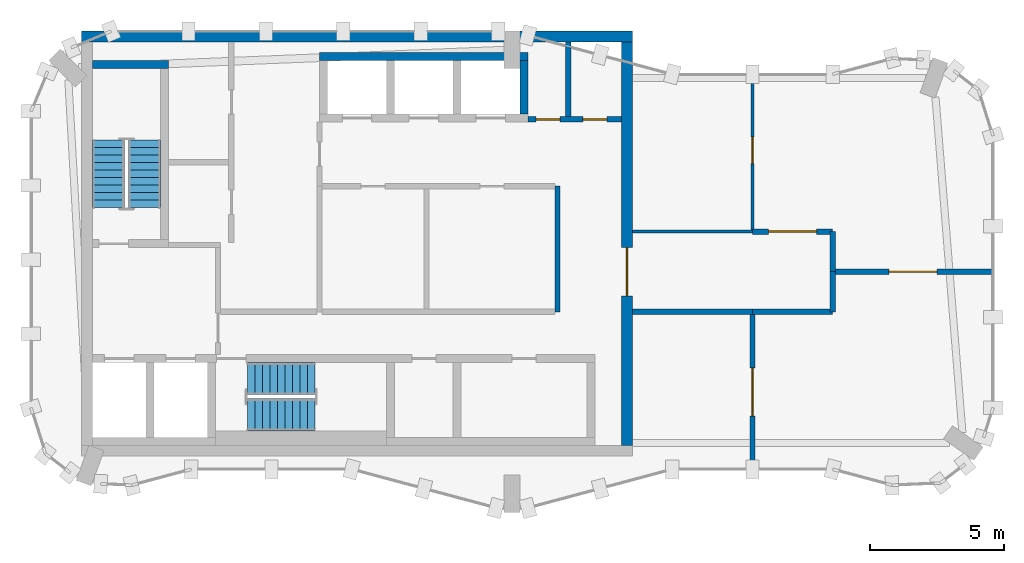
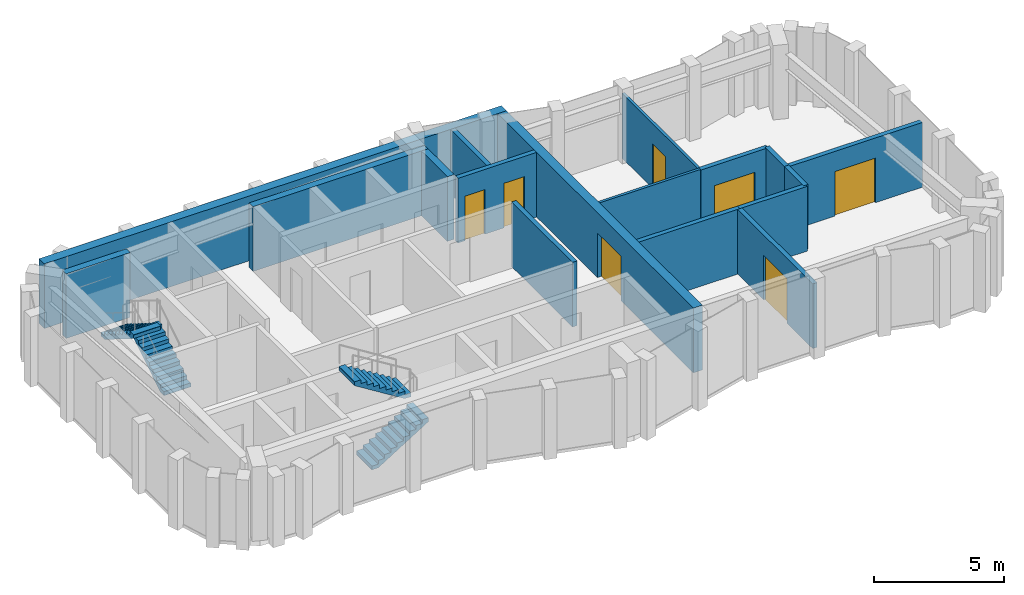
# One storey, part 4 of 5: 17 walls, 7 doors, 4 stair flights, 7 openings, 2 elements without a shape of their own.
"""IFC4 building model written with IfcOpenShell, lengths in metres."""

import ifcopenshell
import ifcopenshell.guid

model = None  # the IFC model being written
_history = None  # IfcOwnerHistory: only IFC2X3 demands one
_inside = {}  # id of a spatial element -> (the spatial element, [elements in it])
_under = {}  # id of a project, library or spatial element -> (it, [spatial elements below it])
_declared = {}  # id of a project -> (the project, [libraries it declares])
_typed = {}  # id of a type object -> (the type object, [elements of that type])
_made_of = {}  # id of a material, layer set ... -> (it, [elements and type objects made of it])


def new_model(schema):
    """Start an empty IFC model of exactly this schema.

    Asked for "IFC4X3", IfcOpenShell would pick the latest addendum, in which some entities
    have other attributes; the version numbers below select the first issue.
    IFC2X3 requires an IfcOwnerHistory on every rooted entity: one is made here for all.
    """
    global model, _history
    if schema == "IFC4X3":
        model = ifcopenshell.file(schema_version=(4, 3, 0, 0))
    else:
        model = ifcopenshell.file(schema=schema)
    _inside.clear()
    _under.clear()
    _declared.clear()
    _typed.clear()
    _made_of.clear()
    _history = None
    if model.schema == "IFC2X3":
        org = make("IfcOrganization", Name="unknown")
        user = make(
            "IfcPersonAndOrganization",
            ThePerson=make("IfcPerson", FamilyName="unknown"),
            TheOrganization=org,
        )
        app = make(
            "IfcApplication",
            ApplicationDeveloper=org,
            Version="unknown",
            ApplicationFullName="unknown",
            ApplicationIdentifier="unknown",
        )
        _history = make(
            "IfcOwnerHistory",
            OwningUser=user,
            OwningApplication=app,
            ChangeAction="ADDED",
            CreationDate=0,
        )
    return model


def make(cls, **values):
    """One entity of the class cls with the attributes given. An attribute that is None is left unset."""
    return model.create_entity(
        cls, **{name: value for name, value in values.items() if value is not None}
    )


def rooted(cls, **values):
    """An entity with a GlobalId (a new one), such as an element, a storey or a relation."""
    return make(cls, GlobalId=ifcopenshell.guid.new(), OwnerHistory=_history, **values)


def si_unit(unit_type, name, prefix=None):
    """IfcSIUnit, for example si_unit("LENGTHUNIT", "METRE", prefix="MILLI")."""
    return make("IfcSIUnit", UnitType=unit_type, Prefix=prefix, Name=name)


def assignment(units):
    """IfcUnitAssignment: the units of a project."""
    return None if units is None else make("IfcUnitAssignment", Units=units)


def point(xyz):
    """IfcCartesianPoint."""
    return None if xyz is None else make("IfcCartesianPoint", Coordinates=xyz)


def direction(xyz):
    """IfcDirection."""
    return None if xyz is None else make("IfcDirection", DirectionRatios=xyz)


def frame(location, z_axis=None, x_axis=None):
    """IfcAxis2Placement3D, a coordinate frame: its origin and axes. An axis left out is left unset."""
    return make(
        "IfcAxis2Placement3D",
        Location=point(location),
        Axis=direction(z_axis),
        RefDirection=direction(x_axis),
    )


def frame_2d(location, x_axis=None):
    """IfcAxis2Placement2D, a coordinate frame in the plane: its origin and x axis."""
    return make(
        "IfcAxis2Placement2D", Location=point(location), RefDirection=direction(x_axis)
    )


def origin():
    """The frame at (0, 0, 0) with its axes left unset."""
    return frame((0.0, 0.0, 0.0))


def place(relative_to, where):
    """IfcLocalPlacement: puts the frame where relative to a parent placement (None: the world)."""
    return make(
        "IfcLocalPlacement", PlacementRelTo=relative_to, RelativePlacement=where
    )


def context(
    kind, dimensions, precision=None, world=None, true_north=None, identifier=None
):
    """IfcGeometricRepresentationContext, for example the 3D "Model" context."""
    return make(
        "IfcGeometricRepresentationContext",
        ContextIdentifier=identifier,
        ContextType=kind,
        CoordinateSpaceDimension=dimensions,
        Precision=precision,
        WorldCoordinateSystem=world,
        TrueNorth=true_north,
    )


def subcontext(parent, identifier, kind, view, scale=None):
    """IfcGeometricRepresentationSubContext, for example "Body" below "Model"."""
    return make(
        "IfcGeometricRepresentationSubContext",
        ContextIdentifier=identifier,
        ContextType=kind,
        ParentContext=parent,
        TargetScale=scale,
        TargetView=view,
    )


def project(units=None, contexts=None):
    """IfcProject with its units and contexts."""
    return rooted(
        "IfcProject",
        Name="project",
        RepresentationContexts=contexts,
        UnitsInContext=assignment(units),
    )


def spatial(cls, under=None, at=None, **own):
    """A site, building, storey or space (cls), placed at a placement, below another one or the project."""
    s = rooted(cls, ObjectPlacement=at, **own)
    if under is not None:
        _under.setdefault(under.id(), (under, []))[1].append(s)
    return s


def polyline(points):
    """IfcPolyline through the points."""
    return make("IfcPolyline", Points=[point(p) for p in points])


def profile(cls, at=None, kind="AREA", **sizes):
    """A parametric profile (cls). Its sizes go by their IFC names, for example OverallWidth=200.0."""
    return make(cls, ProfileType=kind, Position=at, **sizes)


def rectangle(**sizes):
    """IfcRectangleProfileDef."""
    return profile("IfcRectangleProfileDef", **sizes)


def outline(outer, holes=None, kind="AREA"):
    """IfcArbitraryClosedProfileDef: a profile drawn as a closed curve; with holes, ...WithVoids."""
    if holes is None:
        return make("IfcArbitraryClosedProfileDef", ProfileType=kind, OuterCurve=outer)
    return make(
        "IfcArbitraryProfileDefWithVoids",
        ProfileType=kind,
        OuterCurve=outer,
        InnerCurves=holes,
    )


def extrude(swept, where, along, depth):
    """IfcExtrudedAreaSolid: the profile swept, set in the frame where, extruded along a direction by depth."""
    return make(
        "IfcExtrudedAreaSolid",
        SweptArea=swept,
        Position=where,
        ExtrudedDirection=direction(along),
        Depth=depth,
    )


def shape(context_of_items, identifier, shape_type, items):
    """IfcShapeRepresentation: the items that make up one representation, for example the "Body"."""
    return make(
        "IfcShapeRepresentation",
        ContextOfItems=context_of_items,
        RepresentationIdentifier=identifier,
        RepresentationType=shape_type,
        Items=items,
    )


def material(Name=None, Category=None):
    """IfcMaterial."""
    return make("IfcMaterial", Name=Name, Category=Category)


def layer(
    of_material, thickness, ventilated=None, Name=None, Category=None, Priority=None
):
    """IfcMaterialLayer: one layer of a wall or slab, of a material (None: an air gap)."""
    return make(
        "IfcMaterialLayer",
        Material=of_material,
        LayerThickness=thickness,
        IsVentilated=ventilated,
        Name=Name,
        Category=Category,
        Priority=Priority,
    )


def layer_set(layers, Name=None):
    """IfcMaterialLayerSet."""
    return make("IfcMaterialLayerSet", MaterialLayers=layers, LayerSetName=Name)


def made_of(thing, what):
    """Note that an element or type object is made of a material, layer set ...; save() writes the relation."""
    if what is not None:
        _made_of.setdefault(what.id(), (what, []))[1].append(thing)
    return thing


def type_object(cls, material=None, **own):
    """A type object (cls), such as IfcWallType, which elements share."""
    return made_of(rooted(cls, **own), material)


def element(
    cls,
    number,
    at=None,
    inside=None,
    cuts=None,
    type_object=None,
    material=None,
    context=None,
    identifier="Body",
    shape_type=None,
    held_by="IfcProductDefinitionShape",
    body=None,
    shapes=None,
    **own,
):
    """One element of the class cls, such as IfcWall. Its Tag is "e" and its number.

    at: its placement. inside: the storey or other place that contains it. cuts: it is an
    opening in that element (IfcRelVoidsElement). A single representation is given by context,
    identifier, shape_type and body (its items); several are given by shapes. held_by: the class
    of the entity that holds the representations. save() writes the other relations.
    """
    e = rooted(cls, Tag="e%d" % number, ObjectPlacement=at, **own)
    if body is not None:
        shapes = [shape(context, identifier, shape_type, body)]
    if shapes is not None:
        e.Representation = make(held_by, Representations=shapes)
    if inside is not None:
        _inside.setdefault(inside.id(), (inside, []))[1].append(e)
    if cuts is not None:
        rooted(
            "IfcRelVoidsElement", RelatingBuildingElement=cuts, RelatedOpeningElement=e
        )
    if type_object is not None:
        _typed.setdefault(type_object.id(), (type_object, []))[1].append(e)
    return made_of(e, material)


def fill(opening, filler):
    """IfcRelFillsElement: the door or window that sits in an opening."""
    return rooted(
        "IfcRelFillsElement",
        RelatingOpeningElement=opening,
        RelatedBuildingElement=filler,
    )


def aggregate(whole, parts):
    """IfcRelAggregates: a whole, such as a stair, and the parts it consists of."""
    return rooted("IfcRelAggregates", RelatingObject=whole, RelatedObjects=parts)


def save(model, path):
    """Write the relations noted so far, then the file.

    IfcRelAggregates (storeys below a building ...), IfcRelContainedInSpatialStructure (elements
    in a storey), IfcRelDefinesByType, IfcRelAssociatesMaterial and IfcRelDeclares: one each for
    every whole, place, type object, material and project.
    """
    for whole, parts in _under.values():
        aggregate(whole, parts)
    for where, things in _inside.values():
        rooted(
            "IfcRelContainedInSpatialStructure",
            RelatedElements=things,
            RelatingStructure=where,
        )
    for kind, things in _typed.values():
        rooted("IfcRelDefinesByType", RelatedObjects=things, RelatingType=kind)
    for what, things in _made_of.values():
        rooted("IfcRelAssociatesMaterial", RelatedObjects=things, RelatingMaterial=what)
    for by, libraries in _declared.values():
        rooted("IfcRelDeclares", RelatingContext=by, RelatedDefinitions=libraries)
    model.write(path)


model = new_model("IFC4")

# Units and contexts
model_context = context("Model", 3, precision=1e-05, world=origin(), true_north=direction((0.0, 1.0)))
body_context = subcontext(model_context, "Body", "Model", "MODEL_VIEW")
ifc_project = project(units=[si_unit("LENGTHUNIT", "METRE"), si_unit("AREAUNIT", "SQUARE_METRE"), si_unit("VOLUMEUNIT", "CUBIC_METRE"), si_unit("PLANEANGLEUNIT", "RADIAN"), si_unit("MASSUNIT", "GRAM", prefix="KILO")], contexts=[model_context])

# Site, building, storey
site_placement = place(None, origin())
site = spatial("IfcSite", under=ifc_project, at=site_placement, CompositionType="ELEMENT")
building_placement = place(site_placement, origin())
building = spatial("IfcBuilding", under=site, at=building_placement, Name="Plateau Cross Towers", CompositionType="ELEMENT")
storey_placement = place(building_placement, frame((0.0, 0.0, 298.39990234375)))
storey = spatial("IfcBuildingStorey", under=building, at=storey_placement, Name="L79 Crown 2", CompositionType="ELEMENT", Elevation=298.39990234375)

# Wall
ifc_material_1 = material(Name="Concrete block, plastered both sides", Category="concrete")
ifc_layer_1 = layer(ifc_material_1, 0.199951171875)
ifc_layer_set_1 = layer_set([ifc_layer_1], Name="Concrete block, plastered both sides")
wall_type_1 = type_object("IfcWallType", Name="Core partition 200", PredefinedType="PARTITIONING", material=ifc_layer_set_1)
wall_1_placement = place(storey_placement, frame((19.699951171875, 7.5, 0.0), z_axis=(0.0, 0.0, 1.0), x_axis=(0.0, 1.0, 0.0)))
element("IfcWall", 1, at=wall_1_placement, inside=storey, type_object=wall_type_1, Name="Core partition", PredefinedType="PARTITIONING", context=body_context, shape_type="SweptSolid", body=[
    extrude(rectangle(XDim=4.699951171875, YDim=0.199951171875, at=frame_2d((2.35009765625, 0.0))), origin(), (0.0, 0.0, 1.0), 3.050048828125),
])

# Wall, openings, doors
wall_2_placement = place(storey_placement, frame((18.60009765625, 14.699951171875, 0.0), z_axis=(0.0, 0.0, 1.0), x_axis=(1.0, 0.0, 0.0)))
wall_2 = element("IfcWall", 2, at=wall_2_placement, inside=storey, type_object=wall_type_1, Name="Core partition", PredefinedType="PARTITIONING", context=body_context, shape_type="SweptSolid", body=[
    extrude(rectangle(XDim=3.5, YDim=0.199951171875, at=frame_2d((1.75, 0.0))), origin(), (0.0, 0.0, 1.0), 3.050048828125),
])
opening_1_placement = place(wall_2_placement, frame((0.300048828125, 0.0, 0.0)))
opening_1 = element("IfcOpeningElement", 3, at=opening_1_placement, cuts=wall_2, Name="Opening RD2", PredefinedType="OPENING", context=body_context, shape_type="SweptSolid", body=[
    extrude(rectangle(XDim=0.89990234375, YDim=2.10009765625, at=frame_2d((0.449951171875, 1.050048828125))), frame((0.0, 0.10986328125, 0.0), z_axis=(0.0, -1.0, 0.0), x_axis=(1.0, 0.0, 0.0)), (0.0, 0.0, 1.0), 0.219970703125),
])
opening_2_placement = place(wall_2_placement, frame((2.050048828125, 0.0, 0.0)))
opening_2 = element("IfcOpeningElement", 4, at=opening_2_placement, cuts=wall_2, Name="Opening RD2", PredefinedType="OPENING", context=body_context, shape_type="SweptSolid", body=[
    extrude(rectangle(XDim=0.89990234375, YDim=2.10009765625, at=frame_2d((0.449951171875, 1.050048828125))), frame((0.0, 0.10986328125, 0.0), z_axis=(0.0, -1.0, 0.0), x_axis=(1.0, 0.0, 0.0)), (0.0, 0.0, 1.0), 0.219970703125),
])
ifc_material_2 = material(Name="Steel, fire-resisting leaf", Category="steel")
door_type_1 = type_object("IfcDoorType", Name="Core riser door 900", OperationType="NOTDEFINED", PredefinedType="DOOR", material=ifc_material_2)
door_1_placement = place(opening_1_placement, origin())
door_1 = element("IfcDoor", 5, at=door_1_placement, inside=storey, type_object=door_type_1, Name="Core riser door RD2", OperationType="SINGLE_SWING_LEFT", OverallHeight=2.10009765625, OverallWidth=0.89990234375, PredefinedType="DOOR", context=body_context, shape_type="SweptSolid", body=[
    extrude(rectangle(XDim=0.89990234375, YDim=2.10009765625, at=frame_2d((0.449951171875, 1.050048828125))), frame((0.0, 0.02490234375, 0.0), z_axis=(0.0, -1.0, 0.0), x_axis=(1.0, 0.0, 0.0)), (0.0, 0.0, 1.0), 0.050048828125),
])
fill(opening_1, door_1)
door_2_placement = place(opening_2_placement, origin())
door_2 = element("IfcDoor", 6, at=door_2_placement, inside=storey, type_object=door_type_1, Name="Core riser door RD2", OperationType="SINGLE_SWING_LEFT", OverallHeight=2.10009765625, OverallWidth=0.89990234375, PredefinedType="DOOR", context=body_context, shape_type="SweptSolid", body=[
    extrude(rectangle(XDim=0.89990234375, YDim=2.10009765625, at=frame_2d((0.449951171875, 1.050048828125))), frame((0.0, 0.02490234375, 0.0), z_axis=(0.0, -1.0, 0.0), x_axis=(1.0, 0.0, 0.0)), (0.0, 0.0, 1.0), 0.050048828125),
])
fill(opening_2, door_2)

# Walls
wall_3_placement = place(storey_placement, frame((20.10009765625, 14.800048828125, 0.0), z_axis=(0.0, 0.0, 1.0), x_axis=(0.0, 1.0, 0.0)))
element("IfcWall", 7, at=wall_3_placement, inside=storey, type_object=wall_type_1, Name="Core partition", PredefinedType="PARTITIONING", context=body_context, shape_type="SweptSolid", body=[
    extrude(rectangle(XDim=2.800048828125, YDim=0.199951171875, at=frame_2d((1.39990234375, 0.0))), origin(), (0.0, 0.0, 1.0), 3.050048828125),
])
ifc_material_3 = material(Name="Concrete C60/75", Category="concrete")
ifc_layer_2 = layer(ifc_material_3, 0.300048828125)
ifc_layer_set_2 = layer_set([ifc_layer_2], Name="Concrete C60/75")
wall_type_2 = type_object("IfcWallType", Name="Core shaft wall 300", PredefinedType="SHEAR", material=ifc_layer_set_2)
wall_4_placement = place(storey_placement, frame((2.300048828125, 16.75, 0.0), z_axis=(0.0, 0.0, 1.0), x_axis=(1.0, 0.0, 0.0)))
element("IfcWall", 8, at=wall_4_placement, inside=storey, type_object=wall_type_2, Name="A-st1-N@L79 Crown 2", PredefinedType="SHEAR", context=body_context, shape_type="SweptSolid", body=[
    extrude(rectangle(XDim=2.849853515625, YDim=0.300048828125, at=frame_2d((1.4248046875, 0.0))), origin(), (0.0, 0.0, 1.0), 3.050048828125),
])
wall_5_placement = place(storey_placement, frame((10.800048828125, 17.050048828125, 0.0), z_axis=(0.0, 0.0, 1.0), x_axis=(1.0, 0.0, 0.0)))
element("IfcWall", 9, at=wall_5_placement, inside=storey, type_object=wall_type_2, Name="A-nb-back@L79 Crown 2", PredefinedType="SHEAR", context=body_context, shape_type="SweptSolid", body=[
    extrude(rectangle(XDim=7.800048828125, YDim=0.300048828125, at=frame_2d((3.89990234375, 0.0))), origin(), (0.0, 0.0, 1.0), 3.050048828125),
])
wall_6_placement = place(storey_placement, frame((18.449951171875, 14.89990234375, 0.0), z_axis=(0.0, 0.0, 1.0), x_axis=(0.0, 1.0, 0.0)))
element("IfcWall", 10, at=wall_6_placement, inside=storey, type_object=wall_type_2, Name="A-nb-v4@L79 Crown 2", PredefinedType="SHEAR", context=body_context, shape_type="SweptSolid", body=[
    extrude(rectangle(XDim=2.0, YDim=0.300048828125, at=frame_2d((1.0, 0.0))), origin(), (0.0, 0.0, 1.0), 3.050048828125),
])
ifc_layer_3 = layer(ifc_material_3, 0.39990234375)
ifc_layer_set_3 = layer_set([ifc_layer_3], Name="Concrete C60/75")
wall_type_3 = type_object("IfcWallType", Name="Core shell wall 400", PredefinedType="SHEAR", material=ifc_layer_set_3)
wall_7_placement = place(storey_placement, frame((1.89990234375, 17.800048828125, 0.0), z_axis=(0.0, 0.0, 1.0), x_axis=(1.0, 0.0, 0.0)))
element("IfcWall", 11, at=wall_7_placement, inside=storey, type_object=wall_type_3, Name="A-core-N@L79 Crown 2", PredefinedType="SHEAR", context=body_context, shape_type="SweptSolid", body=[
    extrude(rectangle(XDim=20.60009765625, YDim=0.39990234375, at=frame_2d((10.300048828125, 0.0))), origin(), (0.0, 0.0, 1.0), 3.050048828125),
])

# Wall, opening, door
wall_8_placement = place(storey_placement, frame((22.300048828125, 2.5, 0.0), z_axis=(0.0, 0.0, 1.0), x_axis=(0.0, 1.0, 0.0)))
wall_8 = element("IfcWall", 12, at=wall_8_placement, inside=storey, type_object=wall_type_3, Name="A-core-E@L79 Crown 2", PredefinedType="SHEAR", context=body_context, shape_type="SweptSolid", body=[
    extrude(rectangle(XDim=15.10009765625, YDim=0.39990234375, at=frame_2d((7.550048828125, 0.0))), origin(), (0.0, 0.0, 1.0), 3.050048828125),
])
opening_3_placement = place(wall_8_placement, frame((5.60009765625, 0.0, 0.0)))
opening_3 = element("IfcOpeningElement", 13, at=opening_3_placement, cuts=wall_8, Name="Opening CD", PredefinedType="OPENING", context=body_context, shape_type="SweptSolid", body=[
    extrude(rectangle(XDim=1.800048828125, YDim=2.10009765625, at=frame_2d((0.89990234375, 1.050048828125))), frame((0.0, 0.2099609375, 0.0), z_axis=(0.0, -1.0, 0.0), x_axis=(1.0, 0.0, 0.0)), (0.0, 0.0, 1.0), 0.419921875),
])
ifc_material_4 = material(Name="Steel, fire-resisting leaves", Category="steel")
door_type_2 = type_object("IfcDoorType", Name="Corridor door pair 1800", OperationType="NOTDEFINED", PredefinedType="DOOR", material=ifc_material_4)
door_3_placement = place(opening_3_placement, origin())
door_3 = element("IfcDoor", 14, at=door_3_placement, inside=storey, type_object=door_type_2, Name="Corridor door pair CD", OperationType="DOUBLE_DOOR_SINGLE_SWING", OverallHeight=2.10009765625, OverallWidth=1.800048828125, PredefinedType="DOOR", context=body_context, shape_type="SweptSolid", body=[
    extrude(rectangle(XDim=1.800048828125, YDim=2.10009765625, at=frame_2d((0.89990234375, 1.050048828125))), frame((0.0, 0.02490234375, 0.0), z_axis=(0.0, -1.0, 0.0), x_axis=(1.0, 0.0, 0.0)), (0.0, 0.0, 1.0), 0.050048828125),
])
fill(opening_3, door_3)

ifc_material_5 = material(Name="Gypsum board on steel studs", Category="steel")
ifc_layer_4 = layer(ifc_material_5, 0.199951171875)
ifc_layer_set_4 = layer_set([ifc_layer_4], Name="Gypsum board on steel studs")
wall_type_4 = type_object("IfcWallType", Name="Podium partition 200", PredefinedType="PARTITIONING", material=ifc_layer_set_4)
wall_9_placement = place(storey_placement, frame((30.0, 9.0, 0.0), z_axis=(0.0, 0.0, 1.0), x_axis=(1.0, 0.0, 0.0)))
wall_9 = element("IfcWall", 15, at=wall_9_placement, inside=storey, type_object=wall_type_4, Name="Partition wall", PredefinedType="PARTITIONING", context=body_context, shape_type="SweptSolid", body=[
    extrude(rectangle(XDim=6.0, YDim=0.199951171875, at=frame_2d((3.0, 0.0))), origin(), (0.0, 0.0, 1.0), 3.050048828125),
])
opening_4_placement = place(wall_9_placement, frame((2.10009765625, 0.0, 0.0)))
opening_4 = element("IfcOpeningElement", 16, at=opening_4_placement, cuts=wall_9, Name="Opening 792-02", PredefinedType="OPENING", context=body_context, shape_type="SweptSolid", body=[
    extrude(rectangle(XDim=1.800048828125, YDim=2.10009765625, at=frame_2d((0.89990234375, 1.050048828125))), frame((0.0, 0.10986328125, 0.0), z_axis=(0.0, -1.0, 0.0), x_axis=(1.0, 0.0, 0.0)), (0.0, 0.0, 1.0), 0.219970703125),
])
ifc_material_6 = material(Name="Aluminium frame, toughened glass", Category="aluminium")
door_type_3 = type_object("IfcDoorType", Name="Podium door pair 1800", OperationType="NOTDEFINED", PredefinedType="DOOR", material=ifc_material_6)
door_4_placement = place(opening_4_placement, origin())
door_4 = element("IfcDoor", 17, at=door_4_placement, inside=storey, type_object=door_type_3, Name="Door 792-02", OperationType="DOUBLE_DOOR_SINGLE_SWING", OverallHeight=2.10009765625, OverallWidth=1.800048828125, PredefinedType="DOOR", context=body_context, shape_type="SweptSolid", body=[
    extrude(rectangle(XDim=1.800048828125, YDim=2.10009765625, at=frame_2d((0.89990234375, 1.050048828125))), frame((0.0, 0.02490234375, 0.0), z_axis=(0.0, -1.0, 0.0), x_axis=(1.0, 0.0, 0.0)), (0.0, 0.0, 1.0), 0.050048828125),
])
fill(opening_4, door_4)

wall_10_placement = place(storey_placement, frame((27.0, 7.5, 0.0), z_axis=(0.0, 0.0, 1.0), x_axis=(0.0, -1.0, 0.0)))
wall_10 = element("IfcWall", 18, at=wall_10_placement, inside=storey, type_object=wall_type_4, Name="Partition wall", PredefinedType="PARTITIONING", context=body_context, shape_type="SweptSolid", body=[
    extrude(rectangle(XDim=5.89306640625, YDim=0.199951171875, at=frame_2d((2.946533203125, 0.0))), origin(), (0.0, 0.0, 1.0), 3.050048828125),
])
opening_5_placement = place(wall_10_placement, frame((2.10009765625, 0.0, 0.0)))
opening_5 = element("IfcOpeningElement", 19, at=opening_5_placement, cuts=wall_10, Name="Opening 792-03", PredefinedType="OPENING", context=body_context, shape_type="SweptSolid", body=[
    extrude(rectangle(XDim=1.800048828125, YDim=2.10009765625, at=frame_2d((0.89990234375, 1.050048828125))), frame((0.0, 0.10986328125, 0.0), z_axis=(0.0, -1.0, 0.0), x_axis=(1.0, 0.0, 0.0)), (0.0, 0.0, 1.0), 0.219970703125),
])
door_5_placement = place(opening_5_placement, origin())
door_5 = element("IfcDoor", 20, at=door_5_placement, inside=storey, type_object=door_type_3, Name="Door 792-03", OperationType="DOUBLE_DOOR_SINGLE_SWING", OverallHeight=2.10009765625, OverallWidth=1.800048828125, PredefinedType="DOOR", context=body_context, shape_type="SweptSolid", body=[
    extrude(rectangle(XDim=1.800048828125, YDim=2.10009765625, at=frame_2d((0.89990234375, 1.050048828125))), frame((0.0, 0.02490234375, 0.0), z_axis=(0.0, -1.0, 0.0), x_axis=(1.0, 0.0, 0.0)), (0.0, 0.0, 1.0), 0.050048828125),
])
fill(opening_5, door_5)

# Walls
wall_11_placement = place(storey_placement, frame((30.0, 9.0, 0.0), z_axis=(0.0, 0.0, 1.0), x_axis=(0.0, -1.0, 0.0)))
element("IfcWall", 21, at=wall_11_placement, inside=storey, type_object=wall_type_4, Name="Partition wall", PredefinedType="PARTITIONING", context=body_context, shape_type="SweptSolid", body=[
    extrude(rectangle(XDim=1.5, YDim=0.199951171875, at=frame_2d((0.75, 0.0))), origin(), (0.0, 0.0, 1.0), 3.050048828125),
])
wall_12_placement = place(storey_placement, frame((30.0, 7.5, 0.0), z_axis=(0.0, 0.0, 1.0), x_axis=(-1.0, 0.0, 0.0)))
element("IfcWall", 22, at=wall_12_placement, inside=storey, type_object=wall_type_4, Name="Partition wall", PredefinedType="PARTITIONING", context=body_context, shape_type="SweptSolid", body=[
    extrude(rectangle(XDim=3.0, YDim=0.199951171875, at=frame_2d((1.5, 0.0))), origin(), (0.0, 0.0, 1.0), 3.050048828125),
])
wall_13_placement = place(storey_placement, frame((27.0, 7.5, 0.0), z_axis=(0.0, 0.0, 1.0), x_axis=(-1.0, 0.0, 0.0)))
element("IfcWall", 23, at=wall_13_placement, inside=storey, type_object=wall_type_4, Name="Partition wall", PredefinedType="PARTITIONING", context=body_context, shape_type="SweptSolid", body=[
    extrude(rectangle(XDim=4.5, YDim=0.199951171875, at=frame_2d((2.25, 0.0))), origin(), (0.0, 0.0, 1.0), 3.050048828125),
])

# Wall, opening, door
wall_14_placement = place(storey_placement, frame((27.0, 10.5, 0.0), z_axis=(0.0, 0.0, 1.0), x_axis=(1.0, 0.0, 0.0)))
wall_14 = element("IfcWall", 24, at=wall_14_placement, inside=storey, type_object=wall_type_4, Name="Partition wall", PredefinedType="PARTITIONING", context=body_context, shape_type="SweptSolid", body=[
    extrude(rectangle(XDim=3.0, YDim=0.199951171875, at=frame_2d((1.5, 0.0))), origin(), (0.0, 0.0, 1.0), 3.050048828125),
])
opening_6_placement = place(wall_14_placement, frame((0.60009765625, 0.0, 0.0)))
opening_6 = element("IfcOpeningElement", 25, at=opening_6_placement, cuts=wall_14, Name="Opening 792-04", PredefinedType="OPENING", context=body_context, shape_type="SweptSolid", body=[
    extrude(rectangle(XDim=1.800048828125, YDim=2.10009765625, at=frame_2d((0.89990234375, 1.050048828125))), frame((0.0, 0.10986328125, 0.0), z_axis=(0.0, -1.0, 0.0), x_axis=(1.0, 0.0, 0.0)), (0.0, 0.0, 1.0), 0.219970703125),
])
door_6_placement = place(opening_6_placement, origin())
door_6 = element("IfcDoor", 26, at=door_6_placement, inside=storey, type_object=door_type_3, Name="Door 792-04", OperationType="DOUBLE_DOOR_SINGLE_SWING", OverallHeight=2.10009765625, OverallWidth=1.800048828125, PredefinedType="DOOR", context=body_context, shape_type="SweptSolid", body=[
    extrude(rectangle(XDim=1.800048828125, YDim=2.10009765625, at=frame_2d((0.89990234375, 1.050048828125))), frame((0.0, 0.02490234375, 0.0), z_axis=(0.0, -1.0, 0.0), x_axis=(1.0, 0.0, 0.0)), (0.0, 0.0, 1.0), 0.050048828125),
])
fill(opening_6, door_6)

# Wall
wall_15_placement = place(storey_placement, frame((30.0, 10.5, 0.0), z_axis=(0.0, 0.0, 1.0), x_axis=(0.0, -1.0, 0.0)))
element("IfcWall", 27, at=wall_15_placement, inside=storey, type_object=wall_type_4, Name="Partition wall", PredefinedType="PARTITIONING", context=body_context, shape_type="SweptSolid", body=[
    extrude(rectangle(XDim=1.5, YDim=0.199951171875, at=frame_2d((0.75, 0.0))), origin(), (0.0, 0.0, 1.0), 3.050048828125),
])

# Wall, opening, door
ifc_material_7 = material(Name="Moisture-resistant board on steel studs, tiled one side", Category="steel")
ifc_layer_5 = layer(ifc_material_7, 0.1201171875)
ifc_layer_set_5 = layer_set([ifc_layer_5], Name="Moisture-resistant board on steel studs, tiled one side")
wall_type_5 = type_object("IfcWallType", Name="Sanitary partition 120", PredefinedType="PARTITIONING", material=ifc_layer_set_5)
wall_16_placement = place(storey_placement, frame((27.0, 16.39306640625, 0.0), z_axis=(0.0, 0.0, 1.0), x_axis=(0.0, -1.0, 0.0)))
wall_16 = element("IfcWall", 28, at=wall_16_placement, inside=storey, type_object=wall_type_5, Name="Partition wall", PredefinedType="PARTITIONING", context=body_context, shape_type="SweptSolid", body=[
    extrude(rectangle(XDim=5.89306640625, YDim=0.1201171875, at=frame_2d((2.946533203125, 0.0))), origin(), (0.0, 0.0, 1.0), 3.050048828125),
])
opening_7_placement = place(wall_16_placement, frame((2.35009765625, 0.0, 0.0)))
opening_7 = element("IfcOpeningElement", 29, at=opening_7_placement, cuts=wall_16, Name="Opening 792-01", PredefinedType="OPENING", context=body_context, shape_type="SweptSolid", body=[
    extrude(rectangle(XDim=1.0, YDim=2.10009765625, at=frame_2d((0.5, 1.050048828125))), frame((0.0, 0.070068359375, 0.0), z_axis=(0.0, -1.0, 0.0), x_axis=(1.0, 0.0, 0.0)), (0.0, 0.0, 1.0), 0.14013671875),
])
ifc_material_8 = material(Name="Timber leaf", Category="wood")
door_type_4 = type_object("IfcDoorType", Name="Podium clinic door 1000", OperationType="NOTDEFINED", PredefinedType="DOOR", material=ifc_material_8)
door_7_placement = place(opening_7_placement, origin())
door_7 = element("IfcDoor", 30, at=door_7_placement, inside=storey, type_object=door_type_4, Name="Door 792-01", OperationType="SINGLE_SWING_LEFT", OverallHeight=2.10009765625, OverallWidth=1.0, PredefinedType="DOOR", context=body_context, shape_type="SweptSolid", body=[
    extrude(rectangle(XDim=1.0, YDim=2.10009765625, at=frame_2d((0.5, 1.050048828125))), frame((0.0, 0.02490234375, 0.0), z_axis=(0.0, -1.0, 0.0), x_axis=(1.0, 0.0, 0.0)), (0.0, 0.0, 1.0), 0.050048828125),
])
fill(opening_7, door_7)

# Wall
wall_17_placement = place(storey_placement, frame((22.5, 10.5, 0.0), z_axis=(0.0, 0.0, 1.0), x_axis=(1.0, 0.0, 0.0)))
element("IfcWall", 31, at=wall_17_placement, inside=storey, type_object=wall_type_5, Name="Partition wall", PredefinedType="PARTITIONING", context=body_context, shape_type="SweptSolid", body=[
    extrude(rectangle(XDim=4.5, YDim=0.1201171875, at=frame_2d((2.25, 0.0))), origin(), (0.0, 0.0, 1.0), 3.050048828125),
])

# Stair, stair flights
ifc_material_9 = material(Name="Concrete C40/50", Category="concrete")
stair_type = type_object("IfcStairType", Name="ST-TWR", PredefinedType="HALF_TURN_STAIR", material=ifc_material_9)
stair_1_placement = place(storey_placement, origin())
stair_1 = element("IfcStair", 32, at=stair_1_placement, inside=storey, type_object=stair_type, Name="L79 Crown 2 Protected Exit Stair ST-1", PredefinedType="HALF_TURN_STAIR")
stair_flight_type = type_object("IfcStairFlightType", Name="SFL-RC", PredefinedType="STRAIGHT", material=ifc_material_9)
stair_flight_1_placement = place(storey_placement, frame((4.25, 11.39990234375, 0.0), z_axis=(0.0, 0.0, 1.0), x_axis=(0.0, 1.0, 0.0)))
stair_flight_1 = element("IfcStairFlight", 33, at=stair_flight_1_placement, type_object=stair_flight_type, Name="ST-1 flight 1", NumberOfRisers=10, NumberOfTreads=9, PredefinedType="STRAIGHT", RiserHeight=0.175, TreadLength=0.28, context=body_context, shape_type="SweptSolid", body=[
    extrude(outline(polyline([(-0.0048828125, -0.010009765625), (-0.0048828125, 0.0), (0.0, 0.0), (0.0, 0.175048828125), (0.280029296875, 0.175048828125), (0.280029296875, 0.35009765625), (0.56005859375, 0.35009765625), (0.56005859375, 0.52490234375), (0.840087890625, 0.52490234375), (0.840087890625, 0.699951171875), (1.1201171875, 0.699951171875), (1.1201171875, 0.875), (1.39990234375, 0.875), (1.39990234375, 1.050048828125), (1.679931640625, 1.050048828125), (1.679931640625, 1.22509765625), (1.9599609375, 1.22509765625), (1.9599609375, 1.39990234375), (2.239990234375, 1.39990234375), (2.239990234375, 1.574951171875), (2.52001953125, 1.574951171875), (2.52490234375, 1.56494140625), (2.52490234375, 1.398193359375), (2.52001953125, 1.398193359375), (0.28271484375, 0.0), (0.02001953125, 0.0), (0.02001953125, -0.010009765625), (-0.0048828125, -0.010009765625)])), frame((0.0, 0.60009765625, 0.0), z_axis=(0.0, -1.0, 0.0), x_axis=(1.0, 0.0, 0.0)), (0.0, 0.0, 1.0), 1.199951171875),
])
stair_flight_2_placement = place(storey_placement, frame((2.89990234375, 13.919921875, 1.75), z_axis=(0.0, 0.0, 1.0), x_axis=(0.0, -1.0, 0.0)))
stair_flight_2 = element("IfcStairFlight", 34, at=stair_flight_2_placement, type_object=stair_flight_type, Name="ST-1 flight 2", NumberOfRisers=10, NumberOfTreads=9, PredefinedType="STRAIGHT", RiserHeight=0.175, TreadLength=0.28, context=body_context, shape_type="SweptSolid", body=[
    extrude(outline(polyline([(-0.0048828125, -0.010009765625), (-0.0048828125, 0.0), (0.0, 0.0), (0.0, 0.175048828125), (0.280029296875, 0.175048828125), (0.280029296875, 0.35009765625), (0.56005859375, 0.35009765625), (0.56005859375, 0.52490234375), (0.840087890625, 0.52490234375), (0.840087890625, 0.699951171875), (1.1201171875, 0.699951171875), (1.1201171875, 0.875), (1.39990234375, 0.875), (1.39990234375, 1.050048828125), (1.679931640625, 1.050048828125), (1.679931640625, 1.22509765625), (1.9599609375, 1.22509765625), (1.9599609375, 1.39990234375), (2.239990234375, 1.39990234375), (2.239990234375, 1.574951171875), (2.52001953125, 1.574951171875), (2.52490234375, 1.56494140625), (2.52490234375, 1.398193359375), (2.52001953125, 1.398193359375), (0.28271484375, 0.0), (0.02001953125, 0.0), (0.02001953125, -0.010009765625), (-0.0048828125, -0.010009765625)])), frame((0.0, 0.60009765625, 0.0), z_axis=(0.0, -1.0, 0.0), x_axis=(1.0, 0.0, 0.0)), (0.0, 0.0, 1.0), 1.199951171875),
])
aggregate(stair_1, [stair_flight_1, stair_flight_2])

stair_2_placement = place(storey_placement, origin())
stair_2 = element("IfcStair", 35, at=stair_2_placement, inside=storey, type_object=stair_type, Name="L79 Crown 2 Protected Exit Stair ST-2", PredefinedType="HALF_TURN_STAIR")
stair_flight_3_placement = place(storey_placement, frame((8.10009765625, 3.64990234375, 0.0), z_axis=(0.0, 0.0, 1.0), x_axis=(1.0, 0.0, 0.0)))
stair_flight_3 = element("IfcStairFlight", 36, at=stair_flight_3_placement, type_object=stair_flight_type, Name="ST-2 flight 1", NumberOfRisers=10, NumberOfTreads=9, PredefinedType="STRAIGHT", RiserHeight=0.175, TreadLength=0.28, context=body_context, shape_type="SweptSolid", body=[
    extrude(outline(polyline([(-0.0048828125, -0.010009765625), (-0.0048828125, 0.0), (0.0, 0.0), (0.0, 0.175048828125), (0.280029296875, 0.175048828125), (0.280029296875, 0.35009765625), (0.56005859375, 0.35009765625), (0.56005859375, 0.52490234375), (0.840087890625, 0.52490234375), (0.840087890625, 0.699951171875), (1.1201171875, 0.699951171875), (1.1201171875, 0.875), (1.39990234375, 0.875), (1.39990234375, 1.050048828125), (1.679931640625, 1.050048828125), (1.679931640625, 1.22509765625), (1.9599609375, 1.22509765625), (1.9599609375, 1.39990234375), (2.239990234375, 1.39990234375), (2.239990234375, 1.574951171875), (2.52001953125, 1.574951171875), (2.52490234375, 1.56494140625), (2.52490234375, 1.398193359375), (2.52001953125, 1.398193359375), (0.28271484375, 0.0), (0.02001953125, 0.0), (0.02001953125, -0.010009765625), (-0.0048828125, -0.010009765625)])), frame((0.0, 0.60009765625, 0.0), z_axis=(0.0, -1.0, 0.0), x_axis=(1.0, 0.0, 0.0)), (0.0, 0.0, 1.0), 1.199951171875),
])
stair_flight_4_placement = place(storey_placement, frame((10.6201171875, 5.0, 1.75), z_axis=(0.0, 0.0, 1.0), x_axis=(-1.0, 0.0, 0.0)))
stair_flight_4 = element("IfcStairFlight", 37, at=stair_flight_4_placement, type_object=stair_flight_type, Name="ST-2 flight 2", NumberOfRisers=10, NumberOfTreads=9, PredefinedType="STRAIGHT", RiserHeight=0.175, TreadLength=0.28, context=body_context, shape_type="SweptSolid", body=[
    extrude(outline(polyline([(-0.0048828125, -0.010009765625), (-0.0048828125, 0.0), (0.0, 0.0), (0.0, 0.175048828125), (0.280029296875, 0.175048828125), (0.280029296875, 0.35009765625), (0.56005859375, 0.35009765625), (0.56005859375, 0.52490234375), (0.840087890625, 0.52490234375), (0.840087890625, 0.699951171875), (1.1201171875, 0.699951171875), (1.1201171875, 0.875), (1.39990234375, 0.875), (1.39990234375, 1.050048828125), (1.679931640625, 1.050048828125), (1.679931640625, 1.22509765625), (1.9599609375, 1.22509765625), (1.9599609375, 1.39990234375), (2.239990234375, 1.39990234375), (2.239990234375, 1.574951171875), (2.52001953125, 1.574951171875), (2.52490234375, 1.56494140625), (2.52490234375, 1.398193359375), (2.52001953125, 1.398193359375), (0.28271484375, 0.0), (0.02001953125, 0.0), (0.02001953125, -0.010009765625), (-0.0048828125, -0.010009765625)])), frame((0.0, 0.60009765625, 0.0), z_axis=(0.0, -1.0, 0.0), x_axis=(1.0, 0.0, 0.0)), (0.0, 0.0, 1.0), 1.199951171875),
])
aggregate(stair_2, [stair_flight_3, stair_flight_4])

save(model, "model.ifc")
